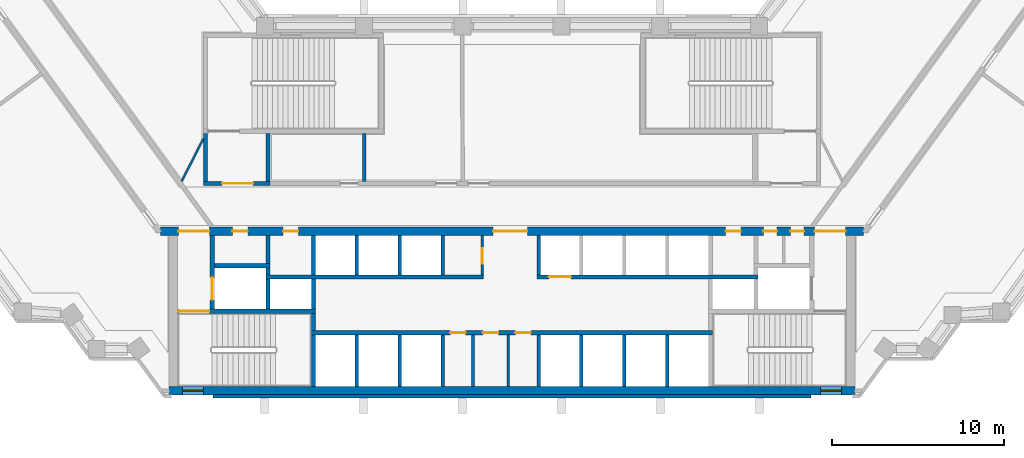
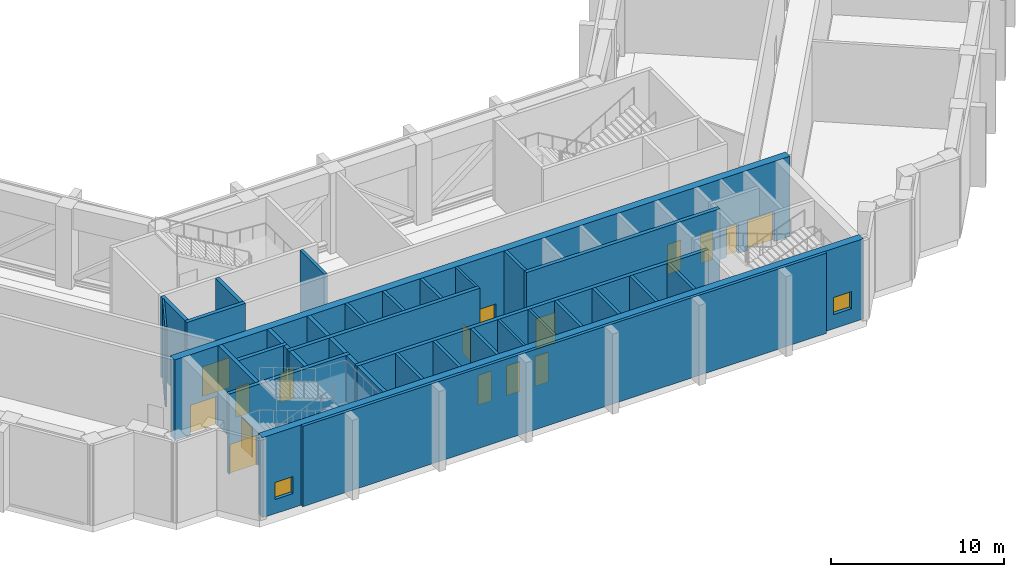
# One storey, part 12 of 19: 35 walls, 16 doors, 2 windows, 18 openings.
"""IFC4 building model written with IfcOpenShell, lengths in metres."""

from ifc_helpers import new_model, si_unit, direction, frame, frame_2d, origin, place, context, subcontext, project, spatial, rectangle, extrude, material, layer, layer_set, type_object, element, fill, save


model = new_model("IFC4")

# Units and contexts
model_context = context("Model", 3, precision=1e-05, world=origin(), true_north=direction((0.0, 1.0)))
body_context = subcontext(model_context, "Body", "Model", "MODEL_VIEW")
ifc_project = project(units=[si_unit("LENGTHUNIT", "METRE"), si_unit("AREAUNIT", "SQUARE_METRE"), si_unit("VOLUMEUNIT", "CUBIC_METRE"), si_unit("PLANEANGLEUNIT", "RADIAN"), si_unit("MASSUNIT", "GRAM", prefix="KILO")], contexts=[model_context])

# Site, building, storey
site_placement = place(None, origin())
site = spatial("IfcSite", under=ifc_project, at=site_placement, CompositionType="ELEMENT")
building_placement = place(site_placement, origin())
building = spatial("IfcBuilding", under=site, at=building_placement, Name="Quipu Civic Tower", CompositionType="ELEMENT")
storey_placement = place(building_placement, frame((0.0, 0.0, 25.0)))
storey = spatial("IfcBuildingStorey", under=building, at=storey_placement, Name="L05", CompositionType="ELEMENT", Elevation=25.0)

# Walls
ifc_material_1 = material(Name="Fired clay blockwork", Category="masonry")
ifc_layer_1 = layer(ifc_material_1, 0.199951171875)
ifc_layer_set_1 = layer_set([ifc_layer_1], Name="Fired clay blockwork")
wall_type_1 = type_object("IfcWallType", Name="Blockwork wall 200", PredefinedType="SOLIDWALL", material=ifc_layer_set_1)
wall_1_placement = place(storey_placement, frame((-8.616943359375, 4.25, 0.0), z_axis=(0.0, 0.0, 1.0), x_axis=(0.0, -1.0, 0.0)))
element("IfcWall", 1, at=wall_1_placement, inside=storey, type_object=wall_type_1, Name="Partition P08", PredefinedType="SOLIDWALL", context=body_context, shape_type="SweptSolid", body=[
    extrude(rectangle(XDim=2.800048828125, YDim=0.199951171875, at=frame_2d((1.39990234375, 0.0))), origin(), (0.0, 0.0, 1.0), 5.64990234375),
])
ifc_material_2 = material(Name="Concrete C70/85", Category="concrete")
ifc_layer_2 = layer(ifc_material_2, 0.25)
ifc_layer_set_2 = layer_set([ifc_layer_2], Name="Concrete C70/85")
wall_type_2 = type_object("IfcWallType", Name="Core wall 250", PredefinedType="SHEAR", material=ifc_layer_set_2)
wall_2_placement = place(storey_placement, frame((-11.574951171875, -10.5, 0.0), z_axis=(0.0, 0.0, 1.0), x_axis=(0.0, 1.0, 0.0)))
element("IfcWall", 2, at=wall_2_placement, inside=storey, type_object=wall_type_2, Name="Core wall", PredefinedType="SHEAR", context=body_context, shape_type="SweptSolid", body=[
    extrude(rectangle(XDim=3.0, YDim=0.25, at=frame_2d((1.5, 0.0))), origin(), (0.0, 0.0, 1.0), 5.64990234375),
])

# Wall, openings, doors
wall_3_placement = place(storey_placement, frame((11.699951171875, -7.375, 0.0), z_axis=(0.0, 0.0, 1.0), x_axis=(-1.0, 0.0, 0.0)))
wall_3 = element("IfcWall", 3, at=wall_3_placement, inside=storey, type_object=wall_type_2, Name="Core wall", PredefinedType="SHEAR", context=body_context, shape_type="SweptSolid", body=[
    extrude(rectangle(XDim=23.39990234375, YDim=0.25, at=frame_2d((11.699951171875, 0.0))), origin(), (0.0, 0.0, 1.0), 5.64990234375),
])
opening_1_placement = place(wall_3_placement, frame((14.39990234375, 0.0, 0.0)))
opening_1 = element("IfcOpeningElement", 4, at=opening_1_placement, cuts=wall_3, Name="Opening CD-01", PredefinedType="OPENING", context=body_context, shape_type="SweptSolid", body=[
    extrude(rectangle(XDim=0.89990234375, YDim=2.10009765625, at=frame_2d((0.449951171875, 1.050048828125))), frame((0.0, 0.135009765625, 0.0), z_axis=(0.0, -1.0, 0.0), x_axis=(1.0, 0.0, 0.0)), (0.0, 0.0, 1.0), 0.27001953125),
])
opening_2_placement = place(wall_3_placement, frame((12.5, 0.0, 0.0)))
opening_2 = element("IfcOpeningElement", 5, at=opening_2_placement, cuts=wall_3, Name="Opening CD-02", PredefinedType="OPENING", context=body_context, shape_type="SweptSolid", body=[
    extrude(rectangle(XDim=0.89990234375, YDim=2.10009765625, at=frame_2d((0.449951171875, 1.050048828125))), frame((0.0, 0.135009765625, 0.0), z_axis=(0.0, -1.0, 0.0), x_axis=(1.0, 0.0, 0.0)), (0.0, 0.0, 1.0), 0.27001953125),
])
opening_3_placement = place(wall_3_placement, frame((10.60009765625, 0.0, 0.0)))
opening_3 = element("IfcOpeningElement", 6, at=opening_3_placement, cuts=wall_3, Name="Opening CD-03", PredefinedType="OPENING", context=body_context, shape_type="SweptSolid", body=[
    extrude(rectangle(XDim=0.89990234375, YDim=2.10009765625, at=frame_2d((0.449951171875, 1.050048828125))), frame((0.0, 0.135009765625, 0.0), z_axis=(0.0, -1.0, 0.0), x_axis=(1.0, 0.0, 0.0)), (0.0, 0.0, 1.0), 0.27001953125),
])
ifc_material_3 = material(Name="Fire rated steel door", Category="steel")
door_type_1 = type_object("IfcDoorType", Name="Fire door FD60 900 x 2100", OperationType="NOTDEFINED", PredefinedType="DOOR", material=ifc_material_3)
door_1_placement = place(opening_1_placement, origin())
door_1 = element("IfcDoor", 7, at=door_1_placement, inside=storey, type_object=door_type_1, Name="Plant door", OperationType="SINGLE_SWING_RIGHT", OverallHeight=2.10009765625, OverallWidth=0.89990234375, PredefinedType="DOOR", context=body_context, shape_type="SweptSolid", body=[
    extrude(rectangle(XDim=0.89990234375, YDim=2.10009765625, at=frame_2d((0.449951171875, 1.050048828125))), frame((0.0, 0.02490234375, 0.0), z_axis=(0.0, -1.0, 0.0), x_axis=(1.0, 0.0, 0.0)), (0.0, 0.0, 1.0), 0.050048828125),
])
fill(opening_1, door_1)
door_2_placement = place(opening_2_placement, origin())
door_2 = element("IfcDoor", 8, at=door_2_placement, inside=storey, type_object=door_type_1, Name="Plant door", OperationType="SINGLE_SWING_RIGHT", OverallHeight=2.10009765625, OverallWidth=0.89990234375, PredefinedType="DOOR", context=body_context, shape_type="SweptSolid", body=[
    extrude(rectangle(XDim=0.89990234375, YDim=2.10009765625, at=frame_2d((0.449951171875, 1.050048828125))), frame((0.0, 0.02490234375, 0.0), z_axis=(0.0, -1.0, 0.0), x_axis=(1.0, 0.0, 0.0)), (0.0, 0.0, 1.0), 0.050048828125),
])
fill(opening_2, door_2)
door_3_placement = place(opening_3_placement, origin())
door_3 = element("IfcDoor", 9, at=door_3_placement, inside=storey, type_object=door_type_1, Name="Plant door", OperationType="SINGLE_SWING_LEFT", OverallHeight=2.10009765625, OverallWidth=0.89990234375, PredefinedType="DOOR", context=body_context, shape_type="SweptSolid", body=[
    extrude(rectangle(XDim=0.89990234375, YDim=2.10009765625, at=frame_2d((0.449951171875, 1.050048828125))), frame((0.0, 0.02490234375, 0.0), z_axis=(0.0, -1.0, 0.0), x_axis=(1.0, 0.0, 0.0)), (0.0, 0.0, 1.0), 0.050048828125),
])
fill(opening_3, door_3)

# Wall
wall_4_placement = place(storey_placement, frame((-11.574951171875, -7.25, 0.0), z_axis=(0.0, 0.0, 1.0), x_axis=(0.0, 1.0, 0.0)))
element("IfcWall", 10, at=wall_4_placement, inside=storey, type_object=wall_type_2, Name="Core wall", PredefinedType="SHEAR", context=body_context, shape_type="SweptSolid", body=[
    extrude(rectangle(XDim=1.0, YDim=0.25, at=frame_2d((0.5, 0.0))), origin(), (0.0, 0.0, 1.0), 5.64990234375),
])

# Wall, opening, door
wall_5_placement = place(storey_placement, frame((-11.449951171875, -6.125, 0.0), z_axis=(0.0, 0.0, 1.0), x_axis=(-1.0, 0.0, 0.0)))
wall_5 = element("IfcWall", 11, at=wall_5_placement, inside=storey, type_object=wall_type_2, Name="Core wall", PredefinedType="SHEAR", context=body_context, shape_type="SweptSolid", body=[
    extrude(rectangle(XDim=8.050048828125, YDim=0.25, at=frame_2d((4.02490234375, 0.0))), origin(), (0.0, 0.0, 1.0), 5.64990234375),
])
opening_4_placement = place(wall_5_placement, frame((6.199951171875, 0.0, 0.0)))
opening_4 = element("IfcOpeningElement", 12, at=opening_4_placement, cuts=wall_5, Name="Opening CD-04", PredefinedType="OPENING", context=body_context, shape_type="SweptSolid", body=[
    extrude(rectangle(XDim=1.800048828125, YDim=2.10009765625, at=frame_2d((0.89990234375, 1.050048828125))), frame((0.0, 0.135009765625, 0.0), z_axis=(0.0, -1.0, 0.0), x_axis=(1.0, 0.0, 0.0)), (0.0, 0.0, 1.0), 0.27001953125),
])
ifc_material_4 = material(Name="Fire rated steel door", Category="steel")
door_type_2 = type_object("IfcDoorType", Name="Fire door FD90 double 1800 x 2100", OperationType="NOTDEFINED", PredefinedType="DOOR", material=ifc_material_4)
door_4_placement = place(opening_4_placement, origin())
door_4 = element("IfcDoor", 13, at=door_4_placement, inside=storey, type_object=door_type_2, Name="Door", OperationType="DOUBLE_DOOR_SINGLE_SWING", OverallHeight=2.10009765625, OverallWidth=1.800048828125, PredefinedType="DOOR", context=body_context, shape_type="SweptSolid", body=[
    extrude(rectangle(XDim=1.800048828125, YDim=2.10009765625, at=frame_2d((0.89990234375, 1.050048828125))), frame((0.0, 0.02490234375, 0.0), z_axis=(0.0, -1.0, 0.0), x_axis=(1.0, 0.0, 0.0)), (0.0, 0.0, 1.0), 0.050048828125),
])
fill(opening_4, door_4)

wall_6_placement = place(storey_placement, frame((-17.47509765625, -6.0, 0.0), z_axis=(0.0, 0.0, 1.0), x_axis=(0.0, 1.0, 0.0)))
wall_6 = element("IfcWall", 14, at=wall_6_placement, inside=storey, type_object=wall_type_2, Name="Core wall", PredefinedType="SHEAR", context=body_context, shape_type="SweptSolid", body=[
    extrude(rectangle(XDim=4.300048828125, YDim=0.25, at=frame_2d((2.14990234375, 0.0))), origin(), (0.0, 0.0, 1.0), 5.64990234375),
])
opening_5_placement = place(wall_6_placement, frame((0.550048828125, 0.0, 0.0)))
opening_5 = element("IfcOpeningElement", 15, at=opening_5_placement, cuts=wall_6, Name="Opening LD-FF1", PredefinedType="OPENING", context=body_context, shape_type="SweptSolid", body=[
    extrude(rectangle(XDim=1.300048828125, YDim=2.10009765625, at=frame_2d((0.64990234375, 1.050048828125))), frame((0.0, 0.135009765625, 0.0), z_axis=(0.0, -1.0, 0.0), x_axis=(1.0, 0.0, 0.0)), (0.0, 0.0, 1.0), 0.27001953125),
])
ifc_material_5 = material(Name="Stainless steel", Category="steel")
door_type_3 = type_object("IfcDoorType", Name="Lift landing door 1300 x 2100", OperationType="DOUBLE_DOOR_SLIDING", PredefinedType="DOOR", material=ifc_material_5)
door_5_placement = place(opening_5_placement, origin())
door_5 = element("IfcDoor", 16, at=door_5_placement, inside=storey, type_object=door_type_3, Name="Landing door FF1", OperationType="DOUBLE_DOOR_SLIDING", OverallHeight=2.10009765625, OverallWidth=1.300048828125, PredefinedType="DOOR", context=body_context, shape_type="SweptSolid", body=[
    extrude(rectangle(XDim=1.300048828125, YDim=2.10009765625, at=frame_2d((0.64990234375, 1.050048828125))), frame((0.0, 0.02490234375, 0.0), z_axis=(0.0, -1.0, 0.0), x_axis=(1.0, 0.0, 0.0)), (0.0, 0.0, 1.0), 0.050048828125),
])
fill(opening_5, door_5)

# Walls
for number, where, z_axis, x_axis, name in (
    (17, (-14.22509765625, -6.0, 0.0), (0.0, 0.0, 1.0), (0.0, 1.0, 0.0), "Core wall"),
    (18, (-11.574951171875, -6.0, 0.0), (0.0, 0.0, 1.0), (0.0, 1.0, 0.0), "Core wall"),
):
    element("IfcWall", number, at=place(storey_placement, frame(where, z_axis=z_axis, x_axis=x_axis)), inside=storey, type_object=wall_type_2, Name=name, PredefinedType="SHEAR", context=body_context, shape_type="SweptSolid", body=[
        extrude(rectangle(XDim=1.75, YDim=0.25, at=frame_2d((0.875, 0.0))), origin(), (0.0, 0.0, 1.0), 5.64990234375),
    ])
wall_7_placement = place(storey_placement, frame((-14.35009765625, -4.125, 0.0), z_axis=(0.0, 0.0, 1.0), x_axis=(1.0, 0.0, 0.0)))
element("IfcWall", 19, at=wall_7_placement, inside=storey, type_object=wall_type_2, Name="Core wall", PredefinedType="SHEAR", context=body_context, shape_type="SweptSolid", body=[
    extrude(rectangle(XDim=12.7001953125, YDim=0.25, at=frame_2d((6.35009765625, 0.0))), origin(), (0.0, 0.0, 1.0), 5.64990234375),
])

# Wall, opening, door
wall_8_placement = place(storey_placement, frame((1.449951171875, -4.125, 0.0), z_axis=(0.0, 0.0, 1.0), x_axis=(1.0, 0.0, 0.0)))
wall_8 = element("IfcWall", 20, at=wall_8_placement, inside=storey, type_object=wall_type_2, Name="Core wall", PredefinedType="SHEAR", context=body_context, shape_type="SweptSolid", body=[
    extrude(rectangle(XDim=12.900146484375, YDim=0.25, at=frame_2d((6.4501953125, 0.0))), origin(), (0.0, 0.0, 1.0), 5.64990234375),
])
opening_6_placement = place(wall_8_placement, frame((0.699951171875, 0.0, 0.0)))
opening_6 = element("IfcOpeningElement", 21, at=opening_6_placement, cuts=wall_8, Name="Opening LD-FF3", PredefinedType="OPENING", context=body_context, shape_type="SweptSolid", body=[
    extrude(rectangle(XDim=1.300048828125, YDim=2.10009765625, at=frame_2d((0.64990234375, 1.050048828125))), frame((0.0, 0.135009765625, 0.0), z_axis=(0.0, -1.0, 0.0), x_axis=(1.0, 0.0, 0.0)), (0.0, 0.0, 1.0), 0.27001953125),
])
door_6_placement = place(opening_6_placement, origin())
door_6 = element("IfcDoor", 22, at=door_6_placement, inside=storey, type_object=door_type_3, Name="Landing door FF3", OperationType="DOUBLE_DOOR_SLIDING", OverallHeight=2.10009765625, OverallWidth=1.300048828125, PredefinedType="DOOR", context=body_context, shape_type="SweptSolid", body=[
    extrude(rectangle(XDim=1.300048828125, YDim=2.10009765625, at=frame_2d((0.64990234375, 1.050048828125))), frame((0.0, 0.02490234375, 0.0), z_axis=(0.0, -1.0, 0.0), x_axis=(1.0, 0.0, 0.0)), (0.0, 0.0, 1.0), 0.050048828125),
])
fill(opening_6, door_6)

# Walls
wall_9_placement = place(storey_placement, frame((-14.22509765625, -4.0, 0.0), z_axis=(0.0, 0.0, 1.0), x_axis=(0.0, 1.0, 0.0)))
element("IfcWall", 23, at=wall_9_placement, inside=storey, type_object=wall_type_2, Name="Core wall", PredefinedType="SHEAR", context=body_context, shape_type="SweptSolid", body=[
    extrude(rectangle(XDim=0.39990234375, YDim=0.25, at=frame_2d((0.199951171875, 0.0))), origin(), (0.0, 0.0, 1.0), 5.64990234375),
])
wall_10_placement = place(storey_placement, frame((-11.574951171875, -4.0, 0.0), z_axis=(0.0, 0.0, 1.0), x_axis=(0.0, 1.0, 0.0)))
element("IfcWall", 24, at=wall_10_placement, inside=storey, type_object=wall_type_2, Name="Core wall", PredefinedType="SHEAR", context=body_context, shape_type="SweptSolid", body=[
    extrude(rectangle(XDim=2.300048828125, YDim=0.25, at=frame_2d((1.14990234375, 0.0))), origin(), (0.0, 0.0, 1.0), 5.64990234375),
])
wall_11_placement = place(storey_placement, frame((-17.35009765625, -3.47509765625, 0.0), z_axis=(0.0, 0.0, 1.0), x_axis=(1.0, 0.0, 0.0)))
element("IfcWall", 25, at=wall_11_placement, inside=storey, type_object=wall_type_2, Name="Core wall", PredefinedType="SHEAR", context=body_context, shape_type="SweptSolid", body=[
    extrude(rectangle(XDim=3.25, YDim=0.25, at=frame_2d((1.625, 0.0))), origin(), (0.0, 0.0, 1.0), 5.64990234375),
])
wall_12_placement = place(storey_placement, frame((-14.22509765625, -3.35009765625, 0.0), z_axis=(0.0, 0.0, 1.0), x_axis=(0.0, 1.0, 0.0)))
element("IfcWall", 26, at=wall_12_placement, inside=storey, type_object=wall_type_2, Name="Core wall", PredefinedType="SHEAR", context=body_context, shape_type="SweptSolid", body=[
    extrude(rectangle(XDim=1.650146484375, YDim=0.25, at=frame_2d((0.8251953125, 0.0))), origin(), (0.0, 0.0, 1.0), 5.64990234375),
])

# Wall, opening, door
wall_13_placement = place(storey_placement, frame((-18.0, 1.324951171875, 0.0), z_axis=(0.0, 0.0, 1.0), x_axis=(1.0, 0.0, 0.0)))
wall_13 = element("IfcWall", 27, at=wall_13_placement, inside=storey, type_object=wall_type_2, Name="Core wall", PredefinedType="SHEAR", context=body_context, shape_type="SweptSolid", body=[
    extrude(rectangle(XDim=3.89990234375, YDim=0.25, at=frame_2d((1.949951171875, 0.0))), origin(), (0.0, 0.0, 1.0), 5.64990234375),
])
opening_7_placement = place(wall_13_placement, frame((1.10009765625, 0.0, 0.0)))
opening_7 = element("IfcOpeningElement", 28, at=opening_7_placement, cuts=wall_13, Name="Opening CD-15", PredefinedType="OPENING", context=body_context, shape_type="SweptSolid", body=[
    extrude(rectangle(XDim=1.800048828125, YDim=2.10009765625, at=frame_2d((0.89990234375, 1.050048828125))), frame((0.0, 0.135009765625, 0.0), z_axis=(0.0, -1.0, 0.0), x_axis=(1.0, 0.0, 0.0)), (0.0, 0.0, 1.0), 0.27001953125),
])
door_7_placement = place(opening_7_placement, origin())
door_7 = element("IfcDoor", 29, at=door_7_placement, inside=storey, type_object=door_type_2, Name="Lobby door", OperationType="DOUBLE_DOOR_SINGLE_SWING", OverallHeight=2.10009765625, OverallWidth=1.800048828125, PredefinedType="DOOR", context=body_context, shape_type="SweptSolid", body=[
    extrude(rectangle(XDim=1.800048828125, YDim=2.10009765625, at=frame_2d((0.89990234375, 1.050048828125))), frame((0.0, 0.02490234375, 0.0), z_axis=(0.0, -1.0, 0.0), x_axis=(1.0, 0.0, 0.0)), (0.0, 0.0, 1.0), 0.050048828125),
])
fill(opening_7, door_7)

# Walls
for number, where, z_axis, x_axis, name in (
    (30, (-17.875, 1.449951171875, 0.0), (0.0, 0.0, 1.0), (0.0, 1.0, 0.0), "Core wall"),
    (31, (-14.22509765625, 1.449951171875, 0.0), (0.0, 0.0, 1.0), (0.0, 1.0, 0.0), "Core wall"),
):
    element("IfcWall", number, at=place(storey_placement, frame(where, z_axis=z_axis, x_axis=x_axis)), inside=storey, type_object=wall_type_2, Name=name, PredefinedType="SHEAR", context=body_context, shape_type="SweptSolid", body=[
        extrude(rectangle(XDim=2.800048828125, YDim=0.25, at=frame_2d((1.39990234375, 0.0))), origin(), (0.0, 0.0, 1.0), 5.64990234375),
    ])

# Wall, openings, windows
ifc_material_6 = material(Name="Concrete C70/85", Category="concrete")
ifc_layer_3 = layer(ifc_material_6, 0.5)
ifc_layer_set_3 = layer_set([ifc_layer_3], Name="Concrete C70/85")
wall_type_3 = type_object("IfcWallType", Name="Core wall 500", PredefinedType="SHEAR", material=ifc_layer_set_3)
wall_14_placement = place(storey_placement, frame((-20.0, -10.75, 0.0), z_axis=(0.0, 0.0, 1.0), x_axis=(1.0, 0.0, 0.0)))
wall_14 = element("IfcWall", 32, at=wall_14_placement, inside=storey, type_object=wall_type_3, Name="Core wall", PredefinedType="SHEAR", context=body_context, shape_type="SweptSolid", body=[
    extrude(rectangle(XDim=40.0, YDim=0.5, at=frame_2d((20.0, 0.0))), origin(), (0.0, 0.0, 1.0), 5.64990234375),
])
opening_8_placement = place(wall_14_placement, frame((0.800048828125, 0.0, 1.0)))
opening_8 = element("IfcOpeningElement", 33, at=opening_8_placement, cuts=wall_14, Name="Opening SV-1", PredefinedType="OPENING", context=body_context, shape_type="SweptSolid", body=[
    extrude(rectangle(XDim=1.199951171875, YDim=1.199951171875, at=frame_2d((0.60009765625, 0.60009765625))), frame((0.0, 0.260009765625, 0.0), z_axis=(0.0, -1.0, 0.0), x_axis=(1.0, 0.0, 0.0)), (0.0, 0.0, 1.0), 0.52001953125),
])
opening_9_placement = place(wall_14_placement, frame((38.0, 0.0, 1.0)))
opening_9 = element("IfcOpeningElement", 34, at=opening_9_placement, cuts=wall_14, Name="Opening SV-2", PredefinedType="OPENING", context=body_context, shape_type="SweptSolid", body=[
    extrude(rectangle(XDim=1.199951171875, YDim=1.199951171875, at=frame_2d((0.60009765625, 0.60009765625))), frame((0.0, 0.260009765625, 0.0), z_axis=(0.0, -1.0, 0.0), x_axis=(1.0, 0.0, 0.0)), (0.0, 0.0, 1.0), 0.52001953125),
])
ifc_material_7 = material(Name="Aluminium louvre", Category="aluminium")
window_type = type_object("IfcWindowType", Name="Stair ventilation louvre 1200 x 1200", PartitioningType="SINGLE_PANEL", PredefinedType="WINDOW", material=ifc_material_7)
window_1_placement = place(opening_8_placement, origin())
window_1 = element("IfcWindow", 35, at=window_1_placement, inside=storey, type_object=window_type, Name="Stair ventilation opening", OverallHeight=1.199951171875, OverallWidth=1.199951171875, PartitioningType="SINGLE_PANEL", PredefinedType="WINDOW", context=body_context, shape_type="SweptSolid", body=[
    extrude(rectangle(XDim=1.199951171875, YDim=1.199951171875, at=frame_2d((0.60009765625, 0.60009765625))), frame((0.0, 0.030029296875, 0.0), z_axis=(0.0, -1.0, 0.0), x_axis=(1.0, 0.0, 0.0)), (0.0, 0.0, 1.0), 0.06005859375),
])
fill(opening_8, window_1)
window_2_placement = place(opening_9_placement, origin())
window_2 = element("IfcWindow", 36, at=window_2_placement, inside=storey, type_object=window_type, Name="Stair ventilation opening", OverallHeight=1.199951171875, OverallWidth=1.199951171875, PartitioningType="SINGLE_PANEL", PredefinedType="WINDOW", context=body_context, shape_type="SweptSolid", body=[
    extrude(rectangle(XDim=1.199951171875, YDim=1.199951171875, at=frame_2d((0.60009765625, 0.60009765625))), frame((0.0, 0.030029296875, 0.0), z_axis=(0.0, -1.0, 0.0), x_axis=(1.0, 0.0, 0.0)), (0.0, 0.0, 1.0), 0.06005859375),
])
fill(opening_9, window_2)

# Wall, openings, doors
wall_15_placement = place(storey_placement, frame((20.489990234375, -1.449951171875, 0.0), z_axis=(0.0, 0.0, 1.0), x_axis=(-1.0, 0.0, 0.0)))
wall_15 = element("IfcWall", 37, at=wall_15_placement, inside=storey, type_object=wall_type_3, Name="Core wall", PredefinedType="SHEAR", context=body_context, shape_type="SweptSolid", body=[
    extrude(rectangle(XDim=40.97998046875, YDim=0.5, at=frame_2d((20.489990234375, 0.0))), origin(), (0.0, 0.0, 1.0), 5.64990234375),
])
opening_10_placement = place(wall_15_placement, frame((38.139892578125, 0.0, 0.0)))
opening_10 = element("IfcOpeningElement", 38, at=opening_10_placement, cuts=wall_15, Name="Opening CD-07", PredefinedType="OPENING", context=body_context, shape_type="SweptSolid", body=[
    extrude(rectangle(XDim=1.800048828125, YDim=2.10009765625, at=frame_2d((0.89990234375, 1.050048828125))), frame((0.0, 0.260009765625, 0.0), z_axis=(0.0, -1.0, 0.0), x_axis=(1.0, 0.0, 0.0)), (0.0, 0.0, 1.0), 0.52001953125),
])
opening_11_placement = place(wall_15_placement, frame((35.889892578125, 0.0, 0.0)))
opening_11 = element("IfcOpeningElement", 39, at=opening_11_placement, cuts=wall_15, Name="Opening CD-08", PredefinedType="OPENING", context=body_context, shape_type="SweptSolid", body=[
    extrude(rectangle(XDim=0.89990234375, YDim=2.10009765625, at=frame_2d((0.449951171875, 1.050048828125))), frame((0.0, 0.260009765625, 0.0), z_axis=(0.0, -1.0, 0.0), x_axis=(1.0, 0.0, 0.0)), (0.0, 0.0, 1.0), 0.52001953125),
])
opening_12_placement = place(wall_15_placement, frame((32.93994140625, 0.0, 0.0)))
opening_12 = element("IfcOpeningElement", 40, at=opening_12_placement, cuts=wall_15, Name="Opening CD-09", PredefinedType="OPENING", context=body_context, shape_type="SweptSolid", body=[
    extrude(rectangle(XDim=0.89990234375, YDim=2.10009765625, at=frame_2d((0.449951171875, 1.050048828125))), frame((0.0, 0.260009765625, 0.0), z_axis=(0.0, -1.0, 0.0), x_axis=(1.0, 0.0, 0.0)), (0.0, 0.0, 1.0), 0.52001953125),
])
opening_13_placement = place(wall_15_placement, frame((19.590087890625, 0.0, 0.0)))
opening_13 = element("IfcOpeningElement", 41, at=opening_13_placement, cuts=wall_15, Name="Opening CD-10", PredefinedType="OPENING", context=body_context, shape_type="SweptSolid", body=[
    extrude(rectangle(XDim=2.0, YDim=2.10009765625, at=frame_2d((1.0, 1.050048828125))), frame((0.0, 0.260009765625, 0.0), z_axis=(0.0, -1.0, 0.0), x_axis=(1.0, 0.0, 0.0)), (0.0, 0.0, 1.0), 0.52001953125),
])
opening_14_placement = place(wall_15_placement, frame((7.139892578125, 0.0, 0.0)))
opening_14 = element("IfcOpeningElement", 42, at=opening_14_placement, cuts=wall_15, Name="Opening CD-11", PredefinedType="OPENING", context=body_context, shape_type="SweptSolid", body=[
    extrude(rectangle(XDim=0.89990234375, YDim=2.10009765625, at=frame_2d((0.449951171875, 1.050048828125))), frame((0.0, 0.260009765625, 0.0), z_axis=(0.0, -1.0, 0.0), x_axis=(1.0, 0.0, 0.0)), (0.0, 0.0, 1.0), 0.52001953125),
])
opening_15_placement = place(wall_15_placement, frame((5.027587890625, 0.0, 0.0)))
opening_15 = element("IfcOpeningElement", 43, at=opening_15_placement, cuts=wall_15, Name="Opening CD-12", PredefinedType="OPENING", context=body_context, shape_type="SweptSolid", body=[
    extrude(rectangle(XDim=0.800048828125, YDim=2.10009765625, at=frame_2d((0.39990234375, 1.050048828125))), frame((0.0, 0.260009765625, 0.0), z_axis=(0.0, -1.0, 0.0), x_axis=(1.0, 0.0, 0.0)), (0.0, 0.0, 1.0), 0.52001953125),
])
opening_16_placement = place(wall_15_placement, frame((3.452392578125, 0.0, 0.0)))
opening_16 = element("IfcOpeningElement", 44, at=opening_16_placement, cuts=wall_15, Name="Opening CD-13", PredefinedType="OPENING", context=body_context, shape_type="SweptSolid", body=[
    extrude(rectangle(XDim=0.800048828125, YDim=2.10009765625, at=frame_2d((0.39990234375, 1.050048828125))), frame((0.0, 0.260009765625, 0.0), z_axis=(0.0, -1.0, 0.0), x_axis=(1.0, 0.0, 0.0)), (0.0, 0.0, 1.0), 0.52001953125),
])
opening_17_placement = place(wall_15_placement, frame((1.0400390625, 0.0, 0.0)))
opening_17 = element("IfcOpeningElement", 45, at=opening_17_placement, cuts=wall_15, Name="Opening CD-14", PredefinedType="OPENING", context=body_context, shape_type="SweptSolid", body=[
    extrude(rectangle(XDim=1.800048828125, YDim=2.10009765625, at=frame_2d((0.89990234375, 1.050048828125))), frame((0.0, 0.260009765625, 0.0), z_axis=(0.0, -1.0, 0.0), x_axis=(1.0, 0.0, 0.0)), (0.0, 0.0, 1.0), 0.52001953125),
])
ifc_material_8 = material(Name="Fire rated steel door", Category="steel")
door_type_4 = type_object("IfcDoorType", Name="Fire door FD60 800 x 2100", OperationType="NOTDEFINED", PredefinedType="DOOR", material=ifc_material_8)
door_8_placement = place(opening_15_placement, origin())
door_8 = element("IfcDoor", 46, at=door_8_placement, inside=storey, type_object=door_type_4, Name="Door", OperationType="SINGLE_SWING_LEFT", OverallHeight=2.10009765625, OverallWidth=0.800048828125, PredefinedType="DOOR", context=body_context, shape_type="SweptSolid", body=[
    extrude(rectangle(XDim=0.800048828125, YDim=2.10009765625, at=frame_2d((0.39990234375, 1.050048828125))), frame((0.0, 0.02490234375, 0.0), z_axis=(0.0, -1.0, 0.0), x_axis=(1.0, 0.0, 0.0)), (0.0, 0.0, 1.0), 0.050048828125),
])
fill(opening_15, door_8)
door_9_placement = place(opening_16_placement, origin())
door_9 = element("IfcDoor", 47, at=door_9_placement, inside=storey, type_object=door_type_4, Name="Door", OperationType="SINGLE_SWING_LEFT", OverallHeight=2.10009765625, OverallWidth=0.800048828125, PredefinedType="DOOR", context=body_context, shape_type="SweptSolid", body=[
    extrude(rectangle(XDim=0.800048828125, YDim=2.10009765625, at=frame_2d((0.39990234375, 1.050048828125))), frame((0.0, 0.02490234375, 0.0), z_axis=(0.0, -1.0, 0.0), x_axis=(1.0, 0.0, 0.0)), (0.0, 0.0, 1.0), 0.050048828125),
])
fill(opening_16, door_9)
door_10_placement = place(opening_11_placement, origin())
door_10 = element("IfcDoor", 48, at=door_10_placement, inside=storey, type_object=door_type_1, Name="Door", OperationType="SINGLE_SWING_RIGHT", OverallHeight=2.10009765625, OverallWidth=0.89990234375, PredefinedType="DOOR", context=body_context, shape_type="SweptSolid", body=[
    extrude(rectangle(XDim=0.89990234375, YDim=2.10009765625, at=frame_2d((0.449951171875, 1.050048828125))), frame((0.0, 0.02490234375, 0.0), z_axis=(0.0, -1.0, 0.0), x_axis=(1.0, 0.0, 0.0)), (0.0, 0.0, 1.0), 0.050048828125),
])
fill(opening_11, door_10)
door_11_placement = place(opening_12_placement, origin())
door_11 = element("IfcDoor", 49, at=door_11_placement, inside=storey, type_object=door_type_1, Name="Riser door", OperationType="SINGLE_SWING_RIGHT", OverallHeight=2.10009765625, OverallWidth=0.89990234375, PredefinedType="DOOR", context=body_context, shape_type="SweptSolid", body=[
    extrude(rectangle(XDim=0.89990234375, YDim=2.10009765625, at=frame_2d((0.449951171875, 1.050048828125))), frame((0.0, 0.02490234375, 0.0), z_axis=(0.0, -1.0, 0.0), x_axis=(1.0, 0.0, 0.0)), (0.0, 0.0, 1.0), 0.050048828125),
])
fill(opening_12, door_11)
door_12_placement = place(opening_14_placement, origin())
door_12 = element("IfcDoor", 50, at=door_12_placement, inside=storey, type_object=door_type_1, Name="Riser door", OperationType="SINGLE_SWING_LEFT", OverallHeight=2.10009765625, OverallWidth=0.89990234375, PredefinedType="DOOR", context=body_context, shape_type="SweptSolid", body=[
    extrude(rectangle(XDim=0.89990234375, YDim=2.10009765625, at=frame_2d((0.449951171875, 1.050048828125))), frame((0.0, 0.02490234375, 0.0), z_axis=(0.0, -1.0, 0.0), x_axis=(1.0, 0.0, 0.0)), (0.0, 0.0, 1.0), 0.050048828125),
])
fill(opening_14, door_12)
door_13_placement = place(opening_10_placement, origin())
door_13 = element("IfcDoor", 51, at=door_13_placement, inside=storey, type_object=door_type_2, Name="Lobby door", OperationType="DOUBLE_DOOR_SINGLE_SWING", OverallHeight=2.10009765625, OverallWidth=1.800048828125, PredefinedType="DOOR", context=body_context, shape_type="SweptSolid", body=[
    extrude(rectangle(XDim=1.800048828125, YDim=2.10009765625, at=frame_2d((0.89990234375, 1.050048828125))), frame((0.0, 0.02490234375, 0.0), z_axis=(0.0, -1.0, 0.0), x_axis=(1.0, 0.0, 0.0)), (0.0, 0.0, 1.0), 0.050048828125),
])
fill(opening_10, door_13)
door_14_placement = place(opening_17_placement, origin())
door_14 = element("IfcDoor", 52, at=door_14_placement, inside=storey, type_object=door_type_2, Name="Lobby door", OperationType="DOUBLE_DOOR_SINGLE_SWING", OverallHeight=2.10009765625, OverallWidth=1.800048828125, PredefinedType="DOOR", context=body_context, shape_type="SweptSolid", body=[
    extrude(rectangle(XDim=1.800048828125, YDim=2.10009765625, at=frame_2d((0.89990234375, 1.050048828125))), frame((0.0, 0.02490234375, 0.0), z_axis=(0.0, -1.0, 0.0), x_axis=(1.0, 0.0, 0.0)), (0.0, 0.0, 1.0), 0.050048828125),
])
fill(opening_17, door_14)
ifc_material_9 = material(Name="Fire rated steel door", Category="steel")
door_type_5 = type_object("IfcDoorType", Name="Fire door FD90 double 2000 x 2100", OperationType="NOTDEFINED", PredefinedType="DOOR", material=ifc_material_9)
door_15_placement = place(opening_13_placement, origin())
door_15 = element("IfcDoor", 53, at=door_15_placement, inside=storey, type_object=door_type_5, Name="Lobby door", OperationType="DOUBLE_DOOR_SINGLE_SWING", OverallHeight=2.10009765625, OverallWidth=2.0, PredefinedType="DOOR", context=body_context, shape_type="SweptSolid", body=[
    extrude(rectangle(XDim=2.0, YDim=2.10009765625, at=frame_2d((1.0, 1.050048828125))), frame((0.0, 0.02490234375, 0.0), z_axis=(0.0, -1.0, 0.0), x_axis=(1.0, 0.0, 0.0)), (0.0, 0.0, 1.0), 0.050048828125),
])
fill(opening_13, door_15)

# Walls
ifc_material_10 = material(Name="Gypsum plasterboard on light gauge framing")
ifc_layer_4 = layer(ifc_material_10, 0.1201171875)
ifc_layer_set_4 = layer_set([ifc_layer_4], Name="Gypsum plasterboard on light gauge framing")
wall_type_4 = type_object("IfcWallType", Name="Partition 120 plasterboard", PredefinedType="PARTITIONING", material=ifc_layer_set_4)
wall_16_placement = place(storey_placement, frame((-19.260986328125, 1.449951171875, 0.0), z_axis=(0.0, 0.0, 1.0), x_axis=(0.453950796792, 0.891026752736, 0.0)))
element("IfcWall", 54, at=wall_16_placement, inside=storey, type_object=wall_type_4, Name="Partition P13", PredefinedType="PARTITIONING", context=body_context, shape_type="SweptSolid", body=[
    extrude(rectangle(XDim=2.77783203125, YDim=0.1201171875, at=frame_2d((1.388916015625, 0.0))), origin(), (0.0, 0.0, 1.0), 5.64990234375),
])
ifc_material_11 = material(Name="Gypsum board partition")
ifc_layer_5 = layer(ifc_material_11, 0.14990234375)
ifc_layer_set_5 = layer_set([ifc_layer_5], Name="Gypsum board partition")
wall_type_5 = type_object("IfcWallType", Name="Partition 150", PredefinedType="PARTITIONING", material=ifc_layer_set_5)
for number, where, z_axis, x_axis, name in (
    (55, (-2.27490234375, -10.5, 0.0), (0.0, 0.0, 1.0), (0.0, 1.0, 0.0), "Partition"),
    (56, (-0.22509765625, -10.5, 0.0), (0.0, 0.0, 1.0), (0.0, 1.0, 0.0), "Partition"),
):
    element("IfcWall", number, at=place(storey_placement, frame(where, z_axis=z_axis, x_axis=x_axis)), inside=storey, type_object=wall_type_5, Name=name, PredefinedType="PARTITIONING", context=body_context, shape_type="SweptSolid", body=[
        extrude(rectangle(XDim=3.0, YDim=0.14990234375, at=frame_2d((1.5, 0.0))), origin(), (0.0, 0.0, 1.0), 5.64990234375),
    ])

# Wall, opening, door
wall_17_placement = place(storey_placement, frame((-1.72509765625, -1.699951171875, 0.0), z_axis=(0.0, 0.0, 1.0), x_axis=(0.0, -1.0, 0.0)))
wall_17 = element("IfcWall", 57, at=wall_17_placement, inside=storey, type_object=wall_type_5, Name="Partition", PredefinedType="PARTITIONING", context=body_context, shape_type="SweptSolid", body=[
    extrude(rectangle(XDim=2.300048828125, YDim=0.14990234375, at=frame_2d((1.14990234375, 0.0))), origin(), (0.0, 0.0, 1.0), 5.64990234375),
])
opening_18_placement = place(wall_17_placement, frame((0.75, 0.0, 0.0)))
opening_18 = element("IfcOpeningElement", 58, at=opening_18_placement, cuts=wall_17, Name="Opening CD-06", PredefinedType="OPENING", context=body_context, shape_type="SweptSolid", body=[
    extrude(rectangle(XDim=0.89990234375, YDim=2.10009765625, at=frame_2d((0.449951171875, 1.050048828125))), frame((0.0, 0.0849609375, 0.0), z_axis=(0.0, -1.0, 0.0), x_axis=(1.0, 0.0, 0.0)), (0.0, 0.0, 1.0), 0.169921875),
])
door_16_placement = place(opening_18_placement, origin())
door_16 = element("IfcDoor", 59, at=door_16_placement, inside=storey, type_object=door_type_1, Name="WC door", OperationType="SINGLE_SWING_RIGHT", OverallHeight=2.10009765625, OverallWidth=0.89990234375, PredefinedType="DOOR", context=body_context, shape_type="SweptSolid", body=[
    extrude(rectangle(XDim=0.89990234375, YDim=2.10009765625, at=frame_2d((0.449951171875, 1.050048828125))), frame((0.0, 0.02490234375, 0.0), z_axis=(0.0, -1.0, 0.0), x_axis=(1.0, 0.0, 0.0)), (0.0, 0.0, 1.0), 0.050048828125),
])
fill(opening_18, door_16)

# Walls
ifc_material_12 = material(Name="Precast concrete C40/50", Category="concrete")
wall_type_6 = type_object("IfcWallType", Name="Precast cladding wall", PredefinedType="SOLIDWALL", material=ifc_material_12)
wall_18_placement = place(storey_placement, frame((-17.44384765625, -11.087890625, 0.0), z_axis=(0.0, 0.0, 1.0), x_axis=(1.0, 0.0, 0.0)))
element("IfcWall", 60, at=wall_18_placement, inside=storey, type_object=wall_type_6, Name="Precast cladding wall L05 19", PredefinedType="SOLIDWALL", context=body_context, shape_type="SweptSolid", body=[
    extrude(rectangle(XDim=34.8876953125, YDim=0.199951171875, at=frame_2d((17.44384765625, 0.0))), origin(), (0.0, 0.0, 1.0), 5.64990234375),
])
ifc_material_13 = material(Name="Concrete C40/50", Category="concrete")
ifc_layer_6 = layer(ifc_material_13, 0.199951171875)
ifc_layer_set_6 = layer_set([ifc_layer_6], Name="Concrete C40/50")
wall_type_7 = type_object("IfcWallType", Name="Shaft wall 200", PredefinedType="SOLIDWALL", material=ifc_layer_set_6)
for number, where, z_axis, x_axis, name in (
    (61, (-9.050048828125, -10.5, 0.0), (0.0, 0.0, 1.0), (0.0, 1.0, 0.0), "Shaft wall"),
    (62, (-6.550048828125, -10.5, 0.0), (0.0, 0.0, 1.0), (0.0, 1.0, 0.0), "Shaft wall"),
    (63, (-4.050048828125, -10.5, 0.0), (0.0, 0.0, 1.0), (0.0, 1.0, 0.0), "Shaft wall"),
    (64, (1.550048828125, -10.5, 0.0), (0.0, 0.0, 1.0), (0.0, 1.0, 0.0), "Shaft wall"),
    (65, (4.050048828125, -10.5, 0.0), (0.0, 0.0, 1.0), (0.0, 1.0, 0.0), "Shaft wall"),
    (66, (6.550048828125, -10.5, 0.0), (0.0, 0.0, 1.0), (0.0, 1.0, 0.0), "Shaft wall"),
    (67, (9.050048828125, -10.5, 0.0), (0.0, 0.0, 1.0), (0.0, 1.0, 0.0), "Shaft wall"),
):
    element("IfcWall", number, at=place(storey_placement, frame(where, z_axis=z_axis, x_axis=x_axis)), inside=storey, type_object=wall_type_7, Name=name, PredefinedType="SOLIDWALL", context=body_context, shape_type="SweptSolid", body=[
        extrude(rectangle(XDim=3.0, YDim=0.199951171875, at=frame_2d((1.5, 0.0))), origin(), (0.0, 0.0, 1.0), 5.64990234375),
    ])
for number, where, z_axis, x_axis, name in (
    (68, (-9.050048828125, -4.0, 0.0), (0.0, 0.0, 1.0), (0.0, 1.0, 0.0), "Shaft wall"),
    (69, (-6.550048828125, -4.0, 0.0), (0.0, 0.0, 1.0), (0.0, 1.0, 0.0), "Shaft wall"),
    (70, (-4.050048828125, -4.0, 0.0), (0.0, 0.0, 1.0), (0.0, 1.0, 0.0), "Shaft wall"),
    (71, (1.550048828125, -4.0, 0.0), (0.0, 0.0, 1.0), (0.0, 1.0, 0.0), "Shaft wall"),
):
    element("IfcWall", number, at=place(storey_placement, frame(where, z_axis=z_axis, x_axis=x_axis)), inside=storey, type_object=wall_type_7, Name=name, PredefinedType="SOLIDWALL", context=body_context, shape_type="SweptSolid", body=[
        extrude(rectangle(XDim=2.300048828125, YDim=0.199951171875, at=frame_2d((1.14990234375, 0.0))), origin(), (0.0, 0.0, 1.0), 5.64990234375),
    ])

save(model, "model.ifc")
